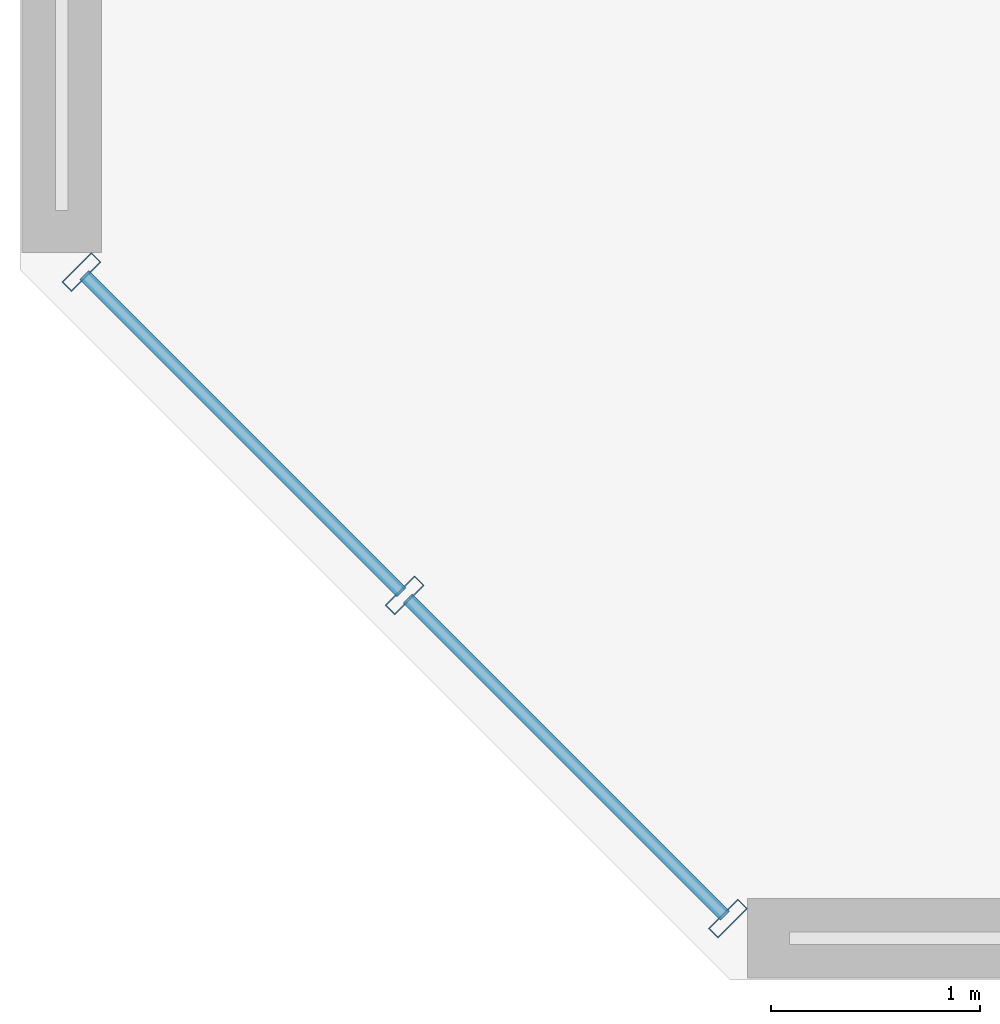
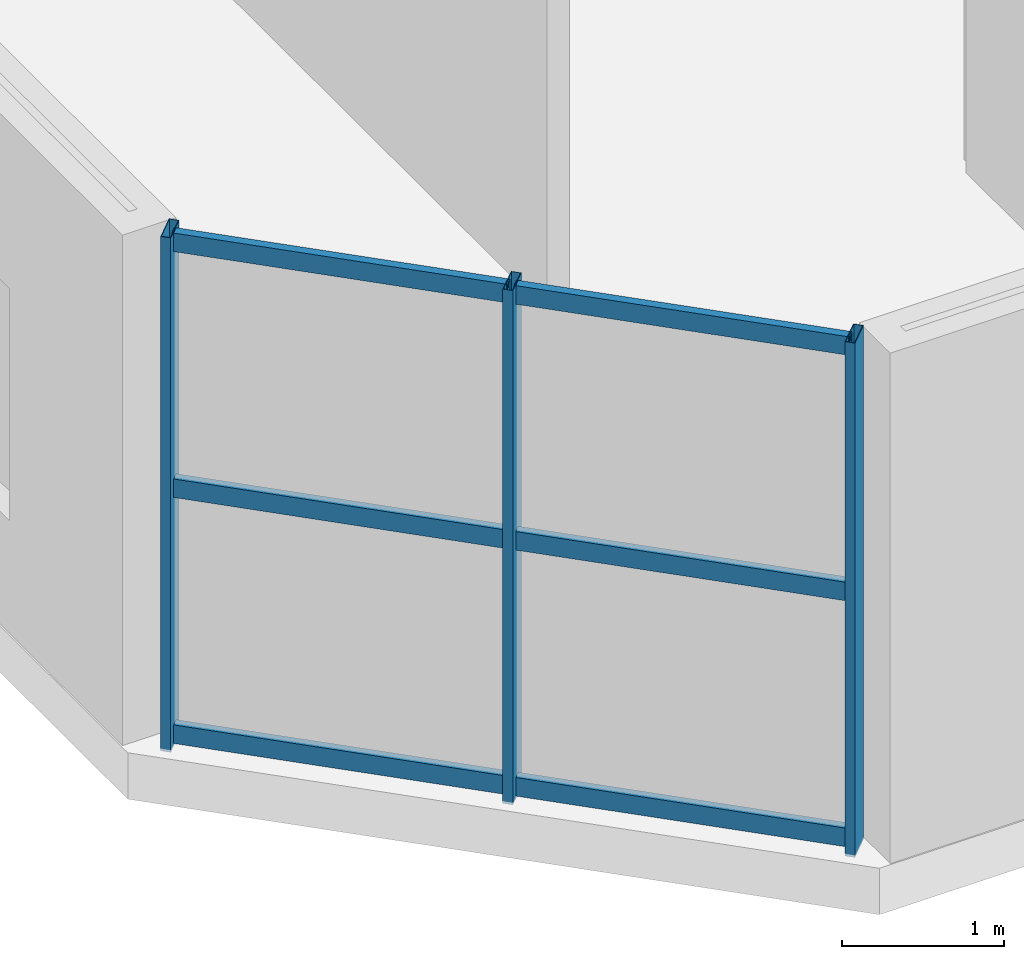
# One storey, part 2 of 22: 9 members, 1 element without a shape of its own.
"""IFC4 building model written with IfcOpenShell, lengths in metres."""

from ifc_helpers import new_model, si_unit, direction, frame, origin, origin_2d, place, context, subcontext, project, spatial, hollow_rectangle, extrude, source, transform, mapped, material, material_profile, profile_set, type_object, element, aggregate, save


model = new_model("IFC4")

# Units and contexts
model_context = context("Model", 3, precision=1e-05, world=origin(), true_north=direction((0.0, 1.0)))
body_context = subcontext(model_context, "Body", "Model", "MODEL_VIEW")
ifc_project = project(units=[si_unit("LENGTHUNIT", "METRE"), si_unit("AREAUNIT", "SQUARE_METRE"), si_unit("VOLUMEUNIT", "CUBIC_METRE"), si_unit("PLANEANGLEUNIT", "RADIAN"), si_unit("MASSUNIT", "GRAM", prefix="KILO")], contexts=[model_context])

# Site, building, storey
site_placement = place(None, origin())
site = spatial("IfcSite", under=ifc_project, at=site_placement, CompositionType="ELEMENT")
building_placement = place(site_placement, origin())
building = spatial("IfcBuilding", under=site, at=building_placement, Name="Tlacorven Tower", CompositionType="ELEMENT")
storey_placement = place(building_placement, frame((0.0, 0.0, 14.39990234375)))
storey = spatial("IfcBuildingStorey", under=building, at=storey_placement, Name="L03", CompositionType="ELEMENT", Elevation=14.39990234375)

# Curtain wall, members
ifc_material_1 = material(Name="Dark solar low-E double glazing in aluminium frame", Category="aluminium")
curtain_wall_type = type_object("IfcCurtainWallType", Name="CW-POD-CLINIC", PredefinedType="USERDEFINED", material=ifc_material_1)
curtain_wall_placement = place(storey_placement, origin())
curtain_wall = element("IfcCurtainWall", 1, at=curtain_wall_placement, inside=storey, type_object=curtain_wall_type, Name="L03 Podium Chamfer Curtain Wall 1", ObjectType="UNITISED CURTAIN WALL", PredefinedType="USERDEFINED")
ifc_material_2 = material(Name="Aluminium 6063-T6 anodised", Category="aluminium")
ifc_material_profile_1 = material_profile(ifc_material_2, hollow_rectangle(XDim=0.06494140625, YDim=0.199951171875, WallThickness=0.00439453125, at=origin_2d()), Name="ALU MULLION 65X200")
ifc_profile_set_1 = profile_set([ifc_material_profile_1], Name="Aluminium 6063-T6 anodised")
member_type_1 = type_object("IfcMemberType", Name="CWM-02", PredefinedType="MULLION", material=ifc_profile_set_1)
shared_shape_1 = source(origin(), body_context, "Body", "SweptSolid", [
    extrude(hollow_rectangle(XDim=0.06494140625, YDim=0.199951171875, WallThickness=0.00439453125, at=origin_2d()), origin(), (0.0, 0.0, 1.0), 3.880126953125),
])
member_1_placement = place(storey_placement, frame((4.7890625, 1.693603515625, -0.02001953125), z_axis=(0.0, 0.0, 1.0), x_axis=(-0.707106781187, 0.707106781187, 0.0)))
member_1 = element("IfcMember", 2, at=member_1_placement, type_object=member_type_1, Name="CW-L03-013 Mullion 1", PredefinedType="MULLION", context=body_context, shape_type="MappedRepresentation", body=[
    mapped(shared_shape_1, transform((0.0, 0.0, 0.0), scale=1.0)),
])
member_2_placement = place(storey_placement, frame((3.241455078125, 3.241455078125, -0.02001953125), z_axis=(0.0, 0.0, 1.0), x_axis=(-0.707106781187, 0.707106781187, 0.0)))
member_2 = element("IfcMember", 3, at=member_2_placement, type_object=member_type_1, Name="CW-L03-013 Mullion 2", PredefinedType="MULLION", context=body_context, shape_type="MappedRepresentation", body=[
    mapped(shared_shape_1, transform((0.0, 0.0, 0.0), scale=1.0)),
])
member_3_placement = place(storey_placement, frame((1.693603515625, 4.7890625, -0.02001953125), z_axis=(0.0, 0.0, 1.0), x_axis=(-0.707106781187, 0.707106781187, 0.0)))
member_3 = element("IfcMember", 4, at=member_3_placement, type_object=member_type_1, Name="CW-L03-013 Mullion 3", PredefinedType="MULLION", context=body_context, shape_type="MappedRepresentation", body=[
    mapped(shared_shape_1, transform((0.0, 0.0, 0.0), scale=1.0)),
])
ifc_material_profile_2 = material_profile(ifc_material_2, hollow_rectangle(XDim=0.06005859375, YDim=0.139892578125, WallThickness=0.00390625, at=origin_2d()), Name="ALU TRANSOM 60X140")
ifc_profile_set_2 = profile_set([ifc_material_profile_2], Name="Aluminium 6063-T6 anodised")
member_type_2 = type_object("IfcMemberType", Name="CWT-02", PredefinedType="USERDEFINED", material=ifc_profile_set_2)
shared_shape_2 = source(origin(), body_context, "Body", "SweptSolid", [
    extrude(hollow_rectangle(XDim=0.06005859375, YDim=0.139892578125, WallThickness=0.00390625, at=origin_2d()), origin(), (0.0, 0.0, 1.0), 2.14794921875),
])
member_4_placement = place(storey_placement, frame((4.774658203125, 1.708251953125, 0.070068359375), z_axis=(-0.707106781187, 0.707106781187, 0.0), x_axis=(-0.707106781187, -0.707106781187, 0.0)))
member_4 = element("IfcMember", 5, at=member_4_placement, type_object=member_type_2, Name="CW-L03-013 Transom 1", ObjectType="TRANSOM", PredefinedType="USERDEFINED", context=body_context, shape_type="MappedRepresentation", body=[
    mapped(shared_shape_2, transform((0.0, 0.0, 0.0), scale=1.0)),
])
member_5_placement = place(storey_placement, frame((4.774658203125, 1.708251953125, 1.925048828125), z_axis=(-0.707106781187, 0.707106781187, 0.0), x_axis=(-0.707106781187, -0.707106781187, 0.0)))
member_5 = element("IfcMember", 6, at=member_5_placement, type_object=member_type_2, Name="CW-L03-013 Transom 2", ObjectType="TRANSOM", PredefinedType="USERDEFINED", context=body_context, shape_type="MappedRepresentation", body=[
    mapped(shared_shape_2, transform((0.0, 0.0, 0.0), scale=1.0)),
])
member_6_placement = place(storey_placement, frame((4.774658203125, 1.708251953125, 3.780029296875), z_axis=(-0.707106781187, 0.707106781187, 0.0), x_axis=(-0.707106781187, -0.707106781187, 0.0)))
member_6 = element("IfcMember", 7, at=member_6_placement, type_object=member_type_2, Name="CW-L03-013 Transom 3", ObjectType="TRANSOM", PredefinedType="USERDEFINED", context=body_context, shape_type="MappedRepresentation", body=[
    mapped(shared_shape_2, transform((0.0, 0.0, 0.0), scale=1.0)),
])
member_7_placement = place(storey_placement, frame((3.22705078125, 3.255859375, 0.070068359375), z_axis=(-0.707106781187, 0.707106781187, 0.0), x_axis=(-0.707106781187, -0.707106781187, 0.0)))
member_7 = element("IfcMember", 8, at=member_7_placement, type_object=member_type_2, Name="CW-L03-013 Transom 4", ObjectType="TRANSOM", PredefinedType="USERDEFINED", context=body_context, shape_type="MappedRepresentation", body=[
    mapped(shared_shape_2, transform((0.0, 0.0, 0.0), scale=1.0)),
])
member_8_placement = place(storey_placement, frame((3.22705078125, 3.255859375, 1.925048828125), z_axis=(-0.707106781187, 0.707106781187, 0.0), x_axis=(-0.707106781187, -0.707106781187, 0.0)))
member_8 = element("IfcMember", 9, at=member_8_placement, type_object=member_type_2, Name="CW-L03-013 Transom 5", ObjectType="TRANSOM", PredefinedType="USERDEFINED", context=body_context, shape_type="MappedRepresentation", body=[
    mapped(shared_shape_2, transform((0.0, 0.0, 0.0), scale=1.0)),
])
member_9_placement = place(storey_placement, frame((3.22705078125, 3.255859375, 3.780029296875), z_axis=(-0.707106781187, 0.707106781187, 0.0), x_axis=(-0.707106781187, -0.707106781187, 0.0)))
member_9 = element("IfcMember", 10, at=member_9_placement, type_object=member_type_2, Name="CW-L03-013 Transom 6", ObjectType="TRANSOM", PredefinedType="USERDEFINED", context=body_context, shape_type="MappedRepresentation", body=[
    mapped(shared_shape_2, transform((0.0, 0.0, 0.0), scale=1.0)),
])
aggregate(curtain_wall, [member_1, member_2, member_3, member_4, member_5, member_6, member_7, member_8, member_9])

save(model, "model.ifc")
